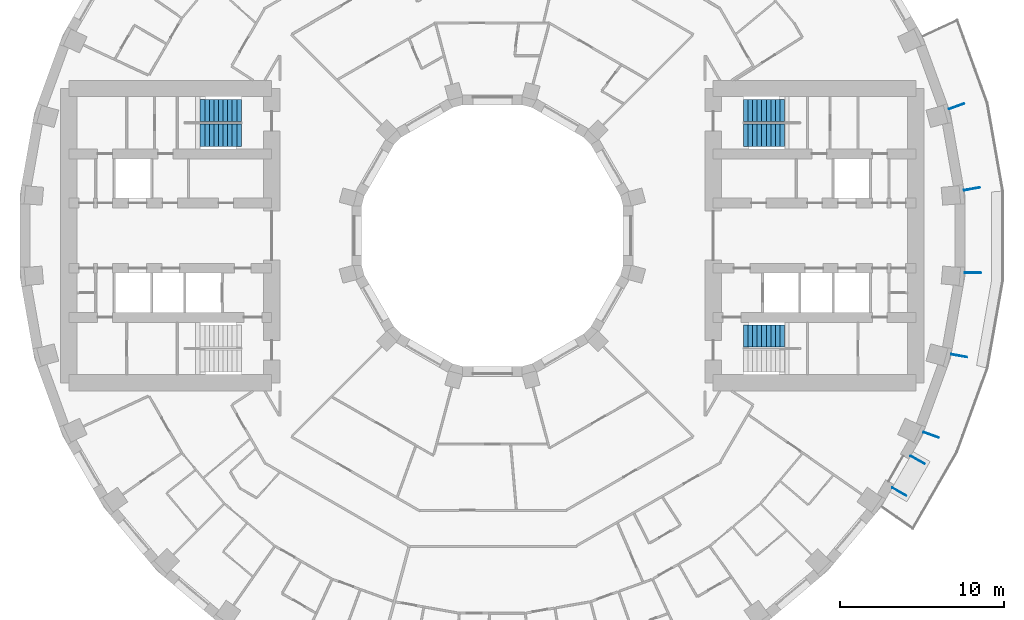
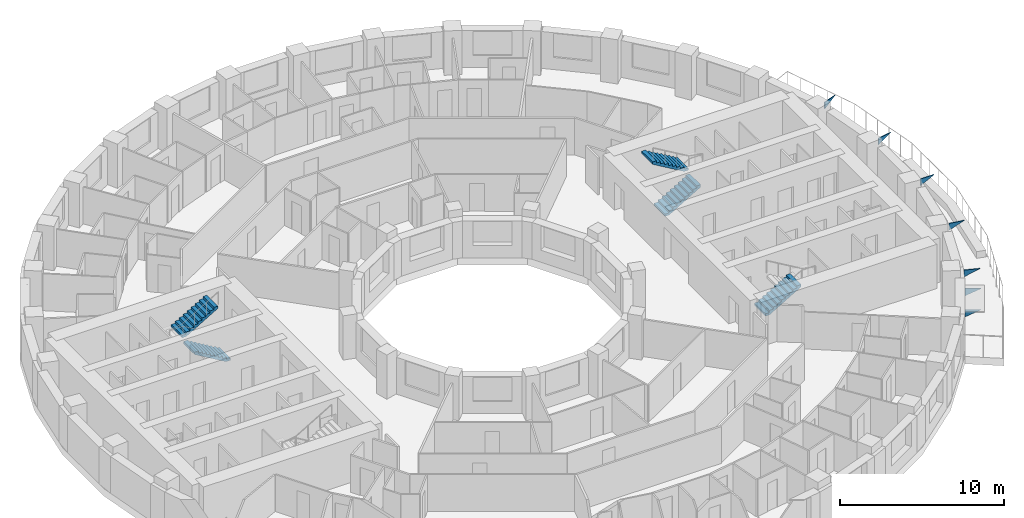
# One storey, part 13 of 14: 7 discrete accessories, 5 stair flights, 3 elements without a shape of their own.
"""IFC4 building model written with IfcOpenShell, lengths in metres."""

from ifc_helpers import new_model, si_unit, direction, frame, origin, place, context, subcontext, project, spatial, polyline, outline, extrude, material, layer, layer_set, type_object, element, aggregate, save


model = new_model("IFC4")

# Units and contexts
model_context = context("Model", 3, precision=1e-05, world=origin(), true_north=direction((0.0, 1.0)))
body_context = subcontext(model_context, "Body", "Model", "MODEL_VIEW")
ifc_project = project(units=[si_unit("LENGTHUNIT", "METRE"), si_unit("AREAUNIT", "SQUARE_METRE"), si_unit("VOLUMEUNIT", "CUBIC_METRE"), si_unit("PLANEANGLEUNIT", "RADIAN"), si_unit("MASSUNIT", "GRAM", prefix="KILO")], contexts=[model_context])

# Site, building, storey
site_placement = place(None, origin())
site = spatial("IfcSite", under=ifc_project, at=site_placement, CompositionType="ELEMENT")
building_placement = place(site_placement, origin())
building = spatial("IfcBuilding", under=site, at=building_placement, Name="Saqina Gate Tower", CompositionType="ELEMENT")
storey_placement = place(building_placement, frame((0.0, 0.0, 46.10009765625)))
storey = spatial("IfcBuildingStorey", under=building, at=storey_placement, Name="L12", CompositionType="ELEMENT", Elevation=46.10009765625)

# Stair, stair flights
ifc_material_1 = material(Name="Concrete C40/50", Category="concrete")
stair_type = type_object("IfcStairType", Name="EXIT STAIR", PredefinedType="HALF_TURN_STAIR", material=ifc_material_1)
stair_1_placement = place(storey_placement, origin())
stair_1 = element("IfcStair", 1, at=stair_1_placement, inside=storey, type_object=stair_type, Name="EXIT STAIR 1", PredefinedType="HALF_TURN_STAIR")
ifc_material_2 = material(Name="Concrete C40/50", Category="concrete")
stair_flight_type = type_object("IfcStairFlightType", Name="EXIT STAIR FLIGHT", PredefinedType="STRAIGHT", material=ifc_material_2)
stair_flight_1_placement = place(storey_placement, frame((15.35009765625, 6.1416015625, 0.0), z_axis=(0.0, 0.0, 1.0), x_axis=(1.0, 0.0, 0.0)))
stair_flight_1 = element("IfcStairFlight", 2, at=stair_flight_1_placement, type_object=stair_flight_type, Name="EXIT STAIR 1 FLIGHT 1", NumberOfRisers=10, NumberOfTreads=9, PredefinedType="STRAIGHT", RiserHeight=0.165, TreadLength=0.28, context=body_context, shape_type="SweptSolid", body=[
    extrude(outline(polyline([(0.0, 0.0), (0.0, 0.1650390625), (0.280029296875, 0.1650390625), (0.280029296875, 0.330078125), (0.56005859375, 0.330078125), (0.56005859375, 0.4951171875), (0.840087890625, 0.4951171875), (0.840087890625, 0.659912109375), (1.1201171875, 0.659912109375), (1.1201171875, 0.824951171875), (1.39990234375, 0.824951171875), (1.39990234375, 0.989990234375), (1.679931640625, 0.989990234375), (1.679931640625, 1.155029296875), (1.9599609375, 1.155029296875), (1.9599609375, 1.320068359375), (2.239990234375, 1.320068359375), (2.239990234375, 1.485107421875), (2.52001953125, 1.485107421875), (2.52001953125, 1.64990234375), (2.52001953125, 1.31103515625), (0.295166015625, 0.0), (0.0, 0.0)])), frame((0.0, 0.675048828125, 0.0), z_axis=(0.0, -1.0, 0.0), x_axis=(1.0, 0.0, 0.0)), (0.0, 0.0, 1.0), 1.35009765625),
])
stair_flight_2_placement = place(storey_placement, frame((17.8701171875, 7.658447265625, 1.64990234375), z_axis=(0.0, 0.0, 1.0), x_axis=(-1.0, 0.0, 0.0)))
stair_flight_2 = element("IfcStairFlight", 3, at=stair_flight_2_placement, type_object=stair_flight_type, Name="EXIT STAIR 1 FLIGHT 2", NumberOfRisers=10, NumberOfTreads=9, PredefinedType="STRAIGHT", RiserHeight=0.165, TreadLength=0.28, context=body_context, shape_type="SweptSolid", body=[
    extrude(outline(polyline([(0.0, 0.0), (0.0, 0.1650390625), (0.280029296875, 0.1650390625), (0.280029296875, 0.330078125), (0.56005859375, 0.330078125), (0.56005859375, 0.4951171875), (0.840087890625, 0.4951171875), (0.840087890625, 0.659912109375), (1.1201171875, 0.659912109375), (1.1201171875, 0.824951171875), (1.39990234375, 0.824951171875), (1.39990234375, 0.989990234375), (1.679931640625, 0.989990234375), (1.679931640625, 1.155029296875), (1.9599609375, 1.155029296875), (1.9599609375, 1.320068359375), (2.239990234375, 1.320068359375), (2.239990234375, 1.485107421875), (2.52001953125, 1.485107421875), (2.52001953125, 1.64990234375), (2.52001953125, 1.31103515625), (0.295166015625, 0.0), (0.0, 0.0)])), frame((0.0, 0.675048828125, 0.0), z_axis=(0.0, -1.0, 0.0), x_axis=(1.0, 0.0, 0.0)), (0.0, 0.0, 1.0), 1.35009765625),
])
aggregate(stair_1, [stair_flight_1, stair_flight_2])

# Stair, stair flight
stair_2_placement = place(storey_placement, origin())
stair_2 = element("IfcStair", 4, at=stair_2_placement, inside=storey, type_object=stair_type, Name="EXIT STAIR 2", PredefinedType="HALF_TURN_STAIR")
stair_flight_3_placement = place(storey_placement, frame((15.35009765625, -6.1416015625, 0.0), z_axis=(0.0, 0.0, 1.0), x_axis=(1.0, 0.0, 0.0)))
stair_flight_3 = element("IfcStairFlight", 5, at=stair_flight_3_placement, type_object=stair_flight_type, Name="EXIT STAIR 2 FLIGHT 1", NumberOfRisers=10, NumberOfTreads=9, PredefinedType="STRAIGHT", RiserHeight=0.165, TreadLength=0.28, context=body_context, shape_type="SweptSolid", body=[
    extrude(outline(polyline([(0.0, 0.0), (0.0, 0.1650390625), (0.280029296875, 0.1650390625), (0.280029296875, 0.330078125), (0.56005859375, 0.330078125), (0.56005859375, 0.4951171875), (0.840087890625, 0.4951171875), (0.840087890625, 0.659912109375), (1.1201171875, 0.659912109375), (1.1201171875, 0.824951171875), (1.39990234375, 0.824951171875), (1.39990234375, 0.989990234375), (1.679931640625, 0.989990234375), (1.679931640625, 1.155029296875), (1.9599609375, 1.155029296875), (1.9599609375, 1.320068359375), (2.239990234375, 1.320068359375), (2.239990234375, 1.485107421875), (2.52001953125, 1.485107421875), (2.52001953125, 1.64990234375), (2.52001953125, 1.31103515625), (0.295166015625, 0.0), (0.0, 0.0)])), frame((0.0, 0.675048828125, 0.0), z_axis=(0.0, -1.0, 0.0), x_axis=(1.0, 0.0, 0.0)), (0.0, 0.0, 1.0), 1.35009765625),
])
aggregate(stair_2, [stair_flight_3])

# Stair, stair flights
stair_3_placement = place(storey_placement, origin())
stair_3 = element("IfcStair", 6, at=stair_3_placement, inside=storey, type_object=stair_type, Name="EXIT STAIR 3", PredefinedType="HALF_TURN_STAIR")
stair_flight_4_placement = place(storey_placement, frame((-15.35009765625, 6.1416015625, 0.0), z_axis=(0.0, 0.0, 1.0), x_axis=(-1.0, 0.0, 0.0)))
stair_flight_4 = element("IfcStairFlight", 7, at=stair_flight_4_placement, type_object=stair_flight_type, Name="EXIT STAIR 3 FLIGHT 1", NumberOfRisers=10, NumberOfTreads=9, PredefinedType="STRAIGHT", RiserHeight=0.165, TreadLength=0.28, context=body_context, shape_type="SweptSolid", body=[
    extrude(outline(polyline([(0.0, 0.0), (0.0, 0.1650390625), (0.280029296875, 0.1650390625), (0.280029296875, 0.330078125), (0.56005859375, 0.330078125), (0.56005859375, 0.4951171875), (0.840087890625, 0.4951171875), (0.840087890625, 0.659912109375), (1.1201171875, 0.659912109375), (1.1201171875, 0.824951171875), (1.39990234375, 0.824951171875), (1.39990234375, 0.989990234375), (1.679931640625, 0.989990234375), (1.679931640625, 1.155029296875), (1.9599609375, 1.155029296875), (1.9599609375, 1.320068359375), (2.239990234375, 1.320068359375), (2.239990234375, 1.485107421875), (2.52001953125, 1.485107421875), (2.52001953125, 1.64990234375), (2.52001953125, 1.31103515625), (0.295166015625, 0.0), (0.0, 0.0)])), frame((0.0, 0.675048828125, 0.0), z_axis=(0.0, -1.0, 0.0), x_axis=(1.0, 0.0, 0.0)), (0.0, 0.0, 1.0), 1.35009765625),
])
stair_flight_5_placement = place(storey_placement, frame((-17.8701171875, 7.658447265625, 1.64990234375), z_axis=(0.0, 0.0, 1.0), x_axis=(1.0, 0.0, 0.0)))
stair_flight_5 = element("IfcStairFlight", 8, at=stair_flight_5_placement, type_object=stair_flight_type, Name="EXIT STAIR 3 FLIGHT 2", NumberOfRisers=10, NumberOfTreads=9, PredefinedType="STRAIGHT", RiserHeight=0.165, TreadLength=0.28, context=body_context, shape_type="SweptSolid", body=[
    extrude(outline(polyline([(0.0, 0.0), (0.0, 0.1650390625), (0.280029296875, 0.1650390625), (0.280029296875, 0.330078125), (0.56005859375, 0.330078125), (0.56005859375, 0.4951171875), (0.840087890625, 0.4951171875), (0.840087890625, 0.659912109375), (1.1201171875, 0.659912109375), (1.1201171875, 0.824951171875), (1.39990234375, 0.824951171875), (1.39990234375, 0.989990234375), (1.679931640625, 0.989990234375), (1.679931640625, 1.155029296875), (1.9599609375, 1.155029296875), (1.9599609375, 1.320068359375), (2.239990234375, 1.320068359375), (2.239990234375, 1.485107421875), (2.52001953125, 1.485107421875), (2.52001953125, 1.64990234375), (2.52001953125, 1.31103515625), (0.295166015625, 0.0), (0.0, 0.0)])), frame((0.0, 0.675048828125, 0.0), z_axis=(0.0, -1.0, 0.0), x_axis=(1.0, 0.0, 0.0)), (0.0, 0.0, 1.0), 1.35009765625),
])
aggregate(stair_3, [stair_flight_4, stair_flight_5])

# Discrete accessories
ifc_material_3 = material(Name="Galvanised steel", Category="steel")
ifc_layer_1 = layer(ifc_material_3, 0.050048828125)
ifc_layer_set_1 = layer_set([ifc_layer_1], Name="BR-AWNING")
discrete_accessory_type_1 = type_object("IfcDiscreteAccessoryType", Name="BR-AWNING", PredefinedType="BRACKET", material=ifc_layer_set_1)
discrete_accessory_1_placement = place(storey_placement, frame((24.47021484375, -15.395751953125, 1.974853515625), z_axis=(0.50002537861, 0.866010750942, 0.0), x_axis=(0.0, 0.0, 1.0)))
element("IfcDiscreteAccessory", 9, at=discrete_accessory_1_placement, inside=storey, type_object=discrete_accessory_type_1, Name="Awning bracket L12 facet 33", PredefinedType="BRACKET", context=body_context, shape_type="SweptSolid", body=[
    extrude(outline(polyline([(0.0, 0.0), (0.550048828125, 0.0), (0.550048828125, 0.9999492453569568), (0.0, 0.0)])), origin(), (0.0, 0.0, -1.0), 0.050048828125),
])
discrete_accessory_2_placement = place(storey_placement, frame((25.593017578125, -13.45068359375, 1.974853515625), z_axis=(0.499919672301, 0.866071776036, 0.0), x_axis=(0.0, 0.0, 1.0)))
element("IfcDiscreteAccessory", 10, at=discrete_accessory_2_placement, inside=storey, type_object=discrete_accessory_type_1, Name="Awning bracket L12 facet 33", PredefinedType="BRACKET", context=body_context, shape_type="SweptSolid", body=[
    extrude(outline(polyline([(0.0, 0.0), (0.550048828125, 0.0), (0.550048828125, 1.0001606812130883), (0.0, 0.0)])), origin(), (0.0, 0.0, -1.0), 0.050048828125),
])
ifc_material_4 = material(Name="Galvanised steel", Category="steel")
ifc_layer_2 = layer(ifc_material_4, 0.050048828125)
ifc_layer_set_2 = layer_set([ifc_layer_2], Name="BR-GUSSET")
discrete_accessory_type_2 = type_object("IfcDiscreteAccessoryType", Name="BR-GUSSET", PredefinedType="BRACKET", material=ifc_layer_set_2)
discrete_accessory_3_placement = place(storey_placement, frame((26.376953125, -11.99755859375, 2.25), z_axis=(0.342037080957, 0.939686455819, 0.0), x_axis=(0.0, 0.0, 1.0)))
element("IfcDiscreteAccessory", 11, at=discrete_accessory_3_placement, inside=storey, type_object=discrete_accessory_type_2, Name="Terrace slab bracket L13 1", PredefinedType="BRACKET", context=body_context, shape_type="SweptSolid", body=[
    extrude(outline(polyline([(0.0, 0.0), (0.5, 0.0), (0.5, 1.000011503630275), (0.0, 0.0)])), origin(), (0.0, 0.0, -1.0), 0.050048828125),
])
discrete_accessory_4_placement = place(storey_placement, frame((28.0595703125, -7.23486328125, 2.25), z_axis=(0.173813186416, 0.984778643263, 0.0), x_axis=(0.0, 0.0, 1.0)))
element("IfcDiscreteAccessory", 12, at=discrete_accessory_4_placement, inside=storey, type_object=discrete_accessory_type_2, Name="Terrace slab bracket L13 2", PredefinedType="BRACKET", context=body_context, shape_type="SweptSolid", body=[
    extrude(outline(polyline([(0.0, 0.0), (0.5, 0.0), (0.5, 1.000085946204391), (0.0, 0.0)])), origin(), (0.0, 0.0, -1.0), 0.050048828125),
])
discrete_accessory_5_placement = place(storey_placement, frame((28.8896484375, -2.25244140625, 2.25), z_axis=(0.0, 1.0, 0.0), x_axis=(0.0, 0.0, 1.0)))
element("IfcDiscreteAccessory", 13, at=discrete_accessory_5_placement, inside=storey, type_object=discrete_accessory_type_2, Name="Terrace slab bracket L13 3", PredefinedType="BRACKET", context=body_context, shape_type="SweptSolid", body=[
    extrude(outline(polyline([(0.0, 0.0), (0.5, 0.0), (0.5, 1.0), (0.0, 0.0)])), origin(), (0.0, 0.0, -1.0), 0.050048828125),
])
discrete_accessory_6_placement = place(storey_placement, frame((28.841796875, 2.79833984375, 2.25), z_axis=(-0.173576426815, 0.984820401928, 0.0), x_axis=(0.0, 0.0, 1.0)))
element("IfcDiscreteAccessory", 14, at=discrete_accessory_6_placement, inside=storey, type_object=discrete_accessory_type_2, Name="Terrace slab bracket L13 4", PredefinedType="BRACKET", context=body_context, shape_type="SweptSolid", body=[
    extrude(outline(polyline([(0.0, 0.0), (0.5, 0.0), (0.5, 1.000043540245132), (0.0, 0.0)])), origin(), (0.0, 0.0, -1.0), 0.050048828125),
])
discrete_accessory_7_placement = place(storey_placement, frame((27.917724609375, 7.76416015625, 2.25), z_axis=(-0.342037080957, 0.939686455819, 0.0), x_axis=(0.0, 0.0, 1.0)))
element("IfcDiscreteAccessory", 15, at=discrete_accessory_7_placement, inside=storey, type_object=discrete_accessory_type_2, Name="Terrace slab bracket L13 5", PredefinedType="BRACKET", context=body_context, shape_type="SweptSolid", body=[
    extrude(outline(polyline([(0.0, 0.0), (0.5, 0.0), (0.5, 1.000011503630275), (0.0, 0.0)])), origin(), (0.0, 0.0, -1.0), 0.050048828125),
])

save(model, "model.ifc")
